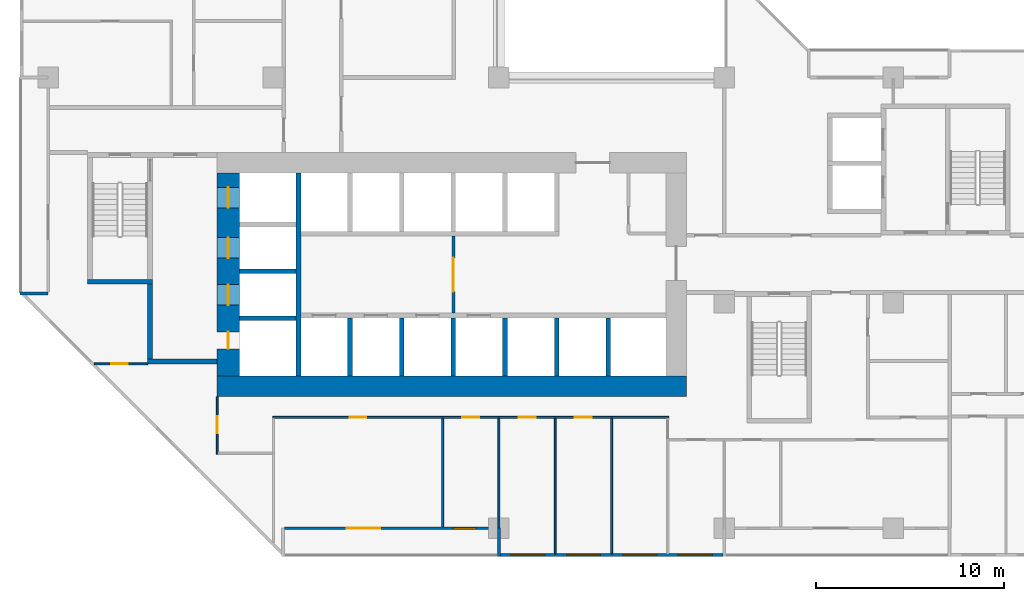
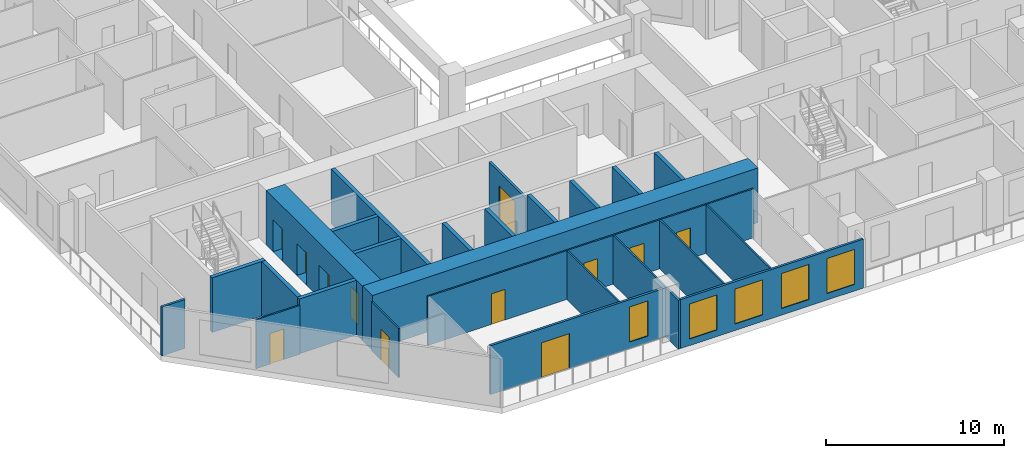
# One storey, part 4 of 16: 26 walls, 12 doors, 5 windows, 17 openings.
"""IFC4 building model written with IfcOpenShell, lengths in metres."""

from ifc_helpers import new_model, si_unit, direction, frame, frame_2d, origin, place, context, subcontext, project, spatial, rectangle, extrude, material, layer, layer_set, type_object, element, fill, save


model = new_model("IFC4")

# Units and contexts
model_context = context("Model", 3, precision=1e-05, world=origin(), true_north=direction((0.0, 1.0)))
body_context = subcontext(model_context, "Body", "Model", "MODEL_VIEW")
ifc_project = project(units=[si_unit("LENGTHUNIT", "METRE"), si_unit("AREAUNIT", "SQUARE_METRE"), si_unit("VOLUMEUNIT", "CUBIC_METRE"), si_unit("PLANEANGLEUNIT", "RADIAN"), si_unit("MASSUNIT", "GRAM", prefix="KILO")], contexts=[model_context])

# Site, building, storey
site_placement = place(None, origin())
site = spatial("IfcSite", under=ifc_project, at=site_placement, CompositionType="ELEMENT")
building_placement = place(site_placement, origin())
building = spatial("IfcBuilding", under=site, at=building_placement, Name="Chenar Terraces", CompositionType="ELEMENT")
storey_placement = place(building_placement, frame((0.0, 0.0, 75.14990234375)))
storey = spatial("IfcBuildingStorey", under=building, at=storey_placement, Name="L16", CompositionType="ELEMENT", Elevation=75.14990234375)

# Wall, opening, door
ifc_material_1 = material(Name="Gypsum board on steel studs", Category="steel")
ifc_layer_1 = layer(ifc_material_1, 0.14990234375)
ifc_layer_set_1 = layer_set([ifc_layer_1], Name="Gypsum board on steel studs")
wall_type_1 = type_object("IfcWallType", Name="Core partition 150 gypsum board", PredefinedType="PARTITIONING", material=ifc_layer_set_1)
wall_1_placement = place(storey_placement, frame((21.574951171875, 11.449951171875, 0.0), z_axis=(0.0, 0.0, 1.0), x_axis=(0.0, 1.0, 0.0)))
wall_1 = element("IfcWall", 1, at=wall_1_placement, inside=storey, type_object=wall_type_1, Name="Core partition CP1 lift lobby smoke stop", PredefinedType="PARTITIONING", context=body_context, shape_type="SweptSolid", body=[
    extrude(rectangle(XDim=4.10009765625, YDim=0.14990234375, at=frame_2d((2.050048828125, 0.0))), origin(), (0.0, 0.0, 1.0), 3.35009765625),
])
opening_1_placement = place(wall_1_placement, frame((1.14990234375, 0.0, 0.0)))
opening_1 = element("IfcOpeningElement", 2, at=opening_1_placement, cuts=wall_1, Name="Opening DL16-C12", PredefinedType="OPENING", context=body_context, shape_type="SweptSolid", body=[
    extrude(rectangle(XDim=1.800048828125, YDim=2.39990234375, at=frame_2d((0.89990234375, 1.199951171875))), frame((0.0, 0.0849609375, 0.0), z_axis=(0.0, -1.0, 0.0), x_axis=(1.0, 0.0, 0.0)), (0.0, 0.0, 1.0), 0.169921875),
])
ifc_material_2 = material(Name="Steel-framed fire-resisting door leaf", Category="steel")
door_type_1 = type_object("IfcDoorType", Name="Core entrance double fire door FD60 1800 x 2400", OperationType="DOUBLE_DOOR_SINGLE_SWING", PredefinedType="DOOR", material=ifc_material_2)
door_1_placement = place(opening_1_placement, frame((1.800048828125, 0.0, 0.0), z_axis=(0.0, 0.0, 1.0), x_axis=(-1.0, 0.0, 0.0)))
door_1 = element("IfcDoor", 3, at=door_1_placement, inside=storey, type_object=door_type_1, Name="Core door DL16-C12", OperationType="DOUBLE_DOOR_SINGLE_SWING", OverallHeight=2.39990234375, OverallWidth=1.800048828125, PredefinedType="DOOR", context=body_context, shape_type="SweptSolid", body=[
    extrude(rectangle(XDim=1.800048828125, YDim=2.39990234375, at=frame_2d((0.89990234375, 1.199951171875))), frame((0.0, 0.02490234375, 0.0), z_axis=(0.0, -1.0, 0.0), x_axis=(1.0, 0.0, 0.0)), (0.0, 0.0, 1.0), 0.050048828125),
])
fill(opening_1, door_1)

# Wall
ifc_material_3 = material(Name="Concrete C70/85", Category="concrete")
ifc_layer_2 = layer(ifc_material_3, 1.10009765625)
ifc_layer_set_2 = layer_set([ifc_layer_2], Name="Concrete C70/85")
wall_type_2 = type_object("IfcWallType", Name="Core wall 1100 Concrete C70/85", PredefinedType="SHEAR", material=ifc_layer_set_2)
wall_2_placement = place(storey_placement, frame((9.0, 7.550048828125, 0.0), z_axis=(0.0, 0.0, 1.0), x_axis=(1.0, 0.0, 0.0)))
element("IfcWall", 4, at=wall_2_placement, inside=storey, type_object=wall_type_2, Name="Core wall S L16", PredefinedType="SHEAR", context=body_context, shape_type="SweptSolid", body=[
    extrude(rectangle(XDim=25.0, YDim=1.10009765625, at=frame_2d((12.5, 0.0))), origin(), (0.0, 0.0, 1.0), 3.75),
])

# Wall, openings, doors
ifc_material_4 = material(Name="Concrete C70/85", Category="concrete")
ifc_layer_3 = layer(ifc_material_4, 1.199951171875)
ifc_layer_set_3 = layer_set([ifc_layer_3], Name="Concrete C70/85")
wall_type_3 = type_object("IfcWallType", Name="Core wall 1200 Concrete C70/85", PredefinedType="SHEAR", material=ifc_layer_set_3)
wall_3_placement = place(storey_placement, frame((9.60009765625, 8.10009765625, 0.0), z_axis=(0.0, 0.0, 1.0), x_axis=(0.0, 1.0, 0.0)))
wall_3 = element("IfcWall", 5, at=wall_3_placement, inside=storey, type_object=wall_type_3, Name="Core wall W L16", PredefinedType="SHEAR", context=body_context, shape_type="SweptSolid", body=[
    extrude(rectangle(XDim=10.7998046875, YDim=1.199951171875, at=frame_2d((5.39990234375, 0.0))), origin(), (0.0, 0.0, 1.0), 3.75),
])
opening_2_placement = place(wall_3_placement, frame((3.77490234375, 0.0, 0.0)))
opening_2 = element("IfcOpeningElement", 6, at=opening_2_placement, cuts=wall_3, Name="Opening DL16-LD5", PredefinedType="OPENING", context=body_context, shape_type="SweptSolid", body=[
    extrude(rectangle(XDim=1.10009765625, YDim=2.199951171875, at=frame_2d((0.550048828125, 1.10009765625))), frame((0.0, 0.60986328125, 0.0), z_axis=(0.0, -1.0, 0.0), x_axis=(1.0, 0.0, 0.0)), (0.0, 0.0, 1.0), 1.219970703125),
])
opening_3_placement = place(wall_3_placement, frame((6.27490234375, 0.0, 0.0)))
opening_3 = element("IfcOpeningElement", 7, at=opening_3_placement, cuts=wall_3, Name="Opening DL16-LD6", PredefinedType="OPENING", context=body_context, shape_type="SweptSolid", body=[
    extrude(rectangle(XDim=1.10009765625, YDim=2.199951171875, at=frame_2d((0.550048828125, 1.10009765625))), frame((0.0, 0.60986328125, 0.0), z_axis=(0.0, -1.0, 0.0), x_axis=(1.0, 0.0, 0.0)), (0.0, 0.0, 1.0), 1.219970703125),
])
opening_4_placement = place(wall_3_placement, frame((8.949951171875, 0.0, 0.0)))
opening_4 = element("IfcOpeningElement", 8, at=opening_4_placement, cuts=wall_3, Name="Opening DL16-LD7", PredefinedType="OPENING", context=body_context, shape_type="SweptSolid", body=[
    extrude(rectangle(XDim=1.10009765625, YDim=2.199951171875, at=frame_2d((0.550048828125, 1.10009765625))), frame((0.0, 0.60986328125, 0.0), z_axis=(0.0, -1.0, 0.0), x_axis=(1.0, 0.0, 0.0)), (0.0, 0.0, 1.0), 1.219970703125),
])
opening_5_placement = place(wall_3_placement, frame((1.449951171875, 0.0, 0.0)))
opening_5 = element("IfcOpeningElement", 9, at=opening_5_placement, cuts=wall_3, Name="Opening DL16-C4", PredefinedType="OPENING", context=body_context, shape_type="SweptSolid", body=[
    extrude(rectangle(XDim=0.89990234375, YDim=2.10009765625, at=frame_2d((0.449951171875, 1.050048828125))), frame((0.0, 0.60986328125, 0.0), z_axis=(0.0, -1.0, 0.0), x_axis=(1.0, 0.0, 0.0)), (0.0, 0.0, 1.0), 1.219970703125),
])
ifc_material_5 = material(Name="Stainless steel", Category="steel")
door_type_2 = type_object("IfcDoorType", Name="Lift landing door 1100 x 2200 sliding", OperationType="DOUBLE_DOOR_SLIDING", PredefinedType="DOOR", material=ifc_material_5)
door_2_placement = place(opening_2_placement, origin())
door_2 = element("IfcDoor", 10, at=door_2_placement, inside=storey, type_object=door_type_2, Name="Landing door S1", OperationType="DOUBLE_DOOR_SLIDING", OverallHeight=2.199951171875, OverallWidth=1.10009765625, PredefinedType="DOOR", context=body_context, shape_type="SweptSolid", body=[
    extrude(rectangle(XDim=1.10009765625, YDim=2.199951171875, at=frame_2d((0.550048828125, 1.10009765625))), frame((0.0, 0.02490234375, 0.0), z_axis=(0.0, -1.0, 0.0), x_axis=(1.0, 0.0, 0.0)), (0.0, 0.0, 1.0), 0.050048828125),
])
fill(opening_2, door_2)
door_3_placement = place(opening_3_placement, origin())
door_3 = element("IfcDoor", 11, at=door_3_placement, inside=storey, type_object=door_type_2, Name="Landing door F1", OperationType="DOUBLE_DOOR_SLIDING", OverallHeight=2.199951171875, OverallWidth=1.10009765625, PredefinedType="DOOR", context=body_context, shape_type="SweptSolid", body=[
    extrude(rectangle(XDim=1.10009765625, YDim=2.199951171875, at=frame_2d((0.550048828125, 1.10009765625))), frame((0.0, 0.02490234375, 0.0), z_axis=(0.0, -1.0, 0.0), x_axis=(1.0, 0.0, 0.0)), (0.0, 0.0, 1.0), 0.050048828125),
])
fill(opening_3, door_3)
door_4_placement = place(opening_4_placement, origin())
door_4 = element("IfcDoor", 12, at=door_4_placement, inside=storey, type_object=door_type_2, Name="Landing door F2", OperationType="DOUBLE_DOOR_SLIDING", OverallHeight=2.199951171875, OverallWidth=1.10009765625, PredefinedType="DOOR", context=body_context, shape_type="SweptSolid", body=[
    extrude(rectangle(XDim=1.10009765625, YDim=2.199951171875, at=frame_2d((0.550048828125, 1.10009765625))), frame((0.0, 0.02490234375, 0.0), z_axis=(0.0, -1.0, 0.0), x_axis=(1.0, 0.0, 0.0)), (0.0, 0.0, 1.0), 0.050048828125),
])
fill(opening_4, door_4)
ifc_material_6 = material(Name="Steel-framed fire-resisting door leaf", Category="steel")
door_type_3 = type_object("IfcDoorType", Name="Riser fire door FD60 900 x 2100", OperationType="SINGLE_SWING_LEFT", PredefinedType="DOOR", material=ifc_material_6)
door_5_placement = place(opening_5_placement, frame((0.89990234375, 0.0, 0.0), z_axis=(0.0, 0.0, 1.0), x_axis=(-1.0, 0.0, 0.0)))
door_5 = element("IfcDoor", 13, at=door_5_placement, inside=storey, type_object=door_type_3, Name="Riser door DL16-C4", OperationType="SINGLE_SWING_RIGHT", OverallHeight=2.10009765625, OverallWidth=0.89990234375, PredefinedType="DOOR", context=body_context, shape_type="SweptSolid", body=[
    extrude(rectangle(XDim=0.89990234375, YDim=2.10009765625, at=frame_2d((0.449951171875, 1.050048828125))), frame((0.0, 0.02490234375, 0.0), z_axis=(0.0, -1.0, 0.0), x_axis=(1.0, 0.0, 0.0)), (0.0, 0.0, 1.0), 0.050048828125),
])
fill(opening_5, door_5)

# Walls
ifc_material_7 = material(Name="Concrete C70/85", Category="concrete")
ifc_layer_4 = layer(ifc_material_7, 0.25)
ifc_layer_set_4 = layer_set([ifc_layer_4], Name="Concrete C70/85")
wall_type_4 = type_object("IfcWallType", Name="Core wall 250 Concrete C70/85", PredefinedType="SHEAR", material=ifc_layer_set_4)
wall_4_placement = place(storey_placement, frame((13.324951171875, 8.10009765625, 0.0), z_axis=(0.0, 0.0, 1.0), x_axis=(0.0, 1.0, 0.0)))
element("IfcWall", 14, at=wall_4_placement, inside=storey, type_object=wall_type_4, Name="Core wall WI L16", PredefinedType="SHEAR", context=body_context, shape_type="SweptSolid", body=[
    extrude(rectangle(XDim=10.7998046875, YDim=0.25, at=frame_2d((5.39990234375, 0.0))), origin(), (0.0, 0.0, 1.0), 3.75),
])
for number, where, z_axis, x_axis, name in (
    (15, (10.199951171875, 11.175048828125, 0.0), (0.0, 0.0, 1.0), (1.0, 0.0, 0.0), "Core wall HW0 L16"),
    (16, (10.199951171875, 13.675048828125, 0.0), (0.0, 0.0, 1.0), (1.0, 0.0, 0.0), "Core wall HW1 L16"),
):
    element("IfcWall", number, at=place(storey_placement, frame(where, z_axis=z_axis, x_axis=x_axis)), inside=storey, type_object=wall_type_4, Name=name, PredefinedType="SHEAR", context=body_context, shape_type="SweptSolid", body=[
        extrude(rectangle(XDim=3.0, YDim=0.25, at=frame_2d((1.5, 0.0))), origin(), (0.0, 0.0, 1.0), 3.75),
    ])
for number, where, z_axis, x_axis, name in (
    (17, (16.074951171875, 8.10009765625, 0.0), (0.0, 0.0, 1.0), (0.0, 1.0, 0.0), "Core wall SS0 L16"),
    (18, (18.824951171875, 8.10009765625, 0.0), (0.0, 0.0, 1.0), (0.0, 1.0, 0.0), "Core wall SS1 L16"),
    (19, (21.574951171875, 8.10009765625, 0.0), (0.0, 0.0, 1.0), (0.0, 1.0, 0.0), "Core wall SS2 L16"),
    (20, (24.324951171875, 8.10009765625, 0.0), (0.0, 0.0, 1.0), (0.0, 1.0, 0.0), "Core wall SS3 L16"),
    (21, (27.074951171875, 8.10009765625, 0.0), (0.0, 0.0, 1.0), (0.0, 1.0, 0.0), "Core wall SS4 L16"),
    (22, (29.824951171875, 8.10009765625, 0.0), (0.0, 0.0, 1.0), (0.0, 1.0, 0.0), "Core wall SS5 L16"),
):
    element("IfcWall", number, at=place(storey_placement, frame(where, z_axis=z_axis, x_axis=x_axis)), inside=storey, type_object=wall_type_4, Name=name, PredefinedType="SHEAR", context=body_context, shape_type="SweptSolid", body=[
        extrude(rectangle(XDim=3.099853515625, YDim=0.25, at=frame_2d((1.5498046875, 0.0))), origin(), (0.0, 0.0, 1.0), 3.75),
    ])
wall_5_placement = place(storey_placement, frame((2.10009765625, 13.125, 0.0), z_axis=(0.0, 0.0, 1.0), x_axis=(1.0, 0.0, 0.0)))
element("IfcWall", 23, at=wall_5_placement, inside=storey, type_object=wall_type_4, Name="Core wall ST1_S L16", PredefinedType="SHEAR", context=body_context, shape_type="SweptSolid", body=[
    extrude(rectangle(XDim=3.449951171875, YDim=0.25, at=frame_2d((1.72509765625, 0.0))), origin(), (0.0, 0.0, 1.0), 3.75),
])
wall_6_placement = place(storey_placement, frame((5.300048828125, 8.875, 0.0), z_axis=(0.0, 0.0, 1.0), x_axis=(1.0, 0.0, 0.0)))
element("IfcWall", 24, at=wall_6_placement, inside=storey, type_object=wall_type_4, Name="Core wall FFL_S L16", PredefinedType="SHEAR", context=body_context, shape_type="SweptSolid", body=[
    extrude(rectangle(XDim=3.699951171875, YDim=0.25, at=frame_2d((1.85009765625, 0.0))), origin(), (0.0, 0.0, 1.0), 3.75),
])
wall_7_placement = place(storey_placement, frame((5.425048828125, 9.0, 0.0), z_axis=(0.0, 0.0, 1.0), x_axis=(0.0, 1.0, 0.0)))
element("IfcWall", 25, at=wall_7_placement, inside=storey, type_object=wall_type_4, Name="Core wall FFL_W L16", PredefinedType="SHEAR", context=body_context, shape_type="SweptSolid", body=[
    extrude(rectangle(XDim=4.0, YDim=0.25, at=frame_2d((2.0, 0.0))), origin(), (0.0, 0.0, 1.0), 3.75),
])

# Wall, openings, windows
ifc_material_8 = material(Name="Aluminium framed glazing", Category="aluminium")
ifc_layer_5 = layer(ifc_material_8, 0.14990234375)
ifc_layer_set_5 = layer_set([ifc_layer_5], Name="Aluminium framed glazing")
wall_type_5 = type_object("IfcWallType", Name="Glazed flush facade wall 150", PredefinedType="SOLIDWALL", material=ifc_layer_set_5)
wall_8_placement = place(storey_placement, frame((24.074951171875, -1.425048828125, 0.0), z_axis=(0.0, 0.0, 1.0), x_axis=(1.0, 0.0, 0.0)))
wall_8 = element("IfcWall", 26, at=wall_8_placement, inside=storey, type_object=wall_type_5, Name="Glazed flush facade wall", PredefinedType="SOLIDWALL", context=body_context, shape_type="SweptSolid", body=[
    extrude(rectangle(XDim=11.85009765625, YDim=0.14990234375, at=frame_2d((5.925048828125, 0.0))), origin(), (0.0, 0.0, 1.0), 3.35009765625),
])
opening_6_placement = place(wall_8_placement, frame((0.5625, 0.0, 0.449951171875)))
opening_6 = element("IfcOpeningElement", 27, at=opening_6_placement, cuts=wall_8, Name="Opening W180x240", PredefinedType="OPENING", context=body_context, shape_type="SweptSolid", body=[
    extrude(rectangle(XDim=1.800048828125, YDim=2.39990234375, at=frame_2d((0.89990234375, 1.199951171875))), frame((0.0, 0.0849609375, 0.0), z_axis=(0.0, -1.0, 0.0), x_axis=(1.0, 0.0, 0.0)), (0.0, 0.0, 1.0), 0.169921875),
])
opening_7_placement = place(wall_8_placement, frame((3.52490234375, 0.0, 0.449951171875)))
opening_7 = element("IfcOpeningElement", 28, at=opening_7_placement, cuts=wall_8, Name="Opening W180x240", PredefinedType="OPENING", context=body_context, shape_type="SweptSolid", body=[
    extrude(rectangle(XDim=1.800048828125, YDim=2.39990234375, at=frame_2d((0.89990234375, 1.199951171875))), frame((0.0, 0.0849609375, 0.0), z_axis=(0.0, -1.0, 0.0), x_axis=(1.0, 0.0, 0.0)), (0.0, 0.0, 1.0), 0.169921875),
])
opening_8_placement = place(wall_8_placement, frame((6.52490234375, 0.0, 0.449951171875)))
opening_8 = element("IfcOpeningElement", 29, at=opening_8_placement, cuts=wall_8, Name="Opening W180x240", PredefinedType="OPENING", context=body_context, shape_type="SweptSolid", body=[
    extrude(rectangle(XDim=1.800048828125, YDim=2.39990234375, at=frame_2d((0.89990234375, 1.199951171875))), frame((0.0, 0.0849609375, 0.0), z_axis=(0.0, -1.0, 0.0), x_axis=(1.0, 0.0, 0.0)), (0.0, 0.0, 1.0), 0.169921875),
])
opening_9_placement = place(wall_8_placement, frame((9.487548828125, 0.0, 0.449951171875)))
opening_9 = element("IfcOpeningElement", 30, at=opening_9_placement, cuts=wall_8, Name="Opening W180x240", PredefinedType="OPENING", context=body_context, shape_type="SweptSolid", body=[
    extrude(rectangle(XDim=1.800048828125, YDim=2.39990234375, at=frame_2d((0.89990234375, 1.199951171875))), frame((0.0, 0.0849609375, 0.0), z_axis=(0.0, -1.0, 0.0), x_axis=(1.0, 0.0, 0.0)), (0.0, 0.0, 1.0), 0.169921875),
])
ifc_material_9 = material(Name="Low emissivity double glazing, aluminium frame", Category="aluminium")
window_type_1 = type_object("IfcWindowType", Name="Fixed light 1800 x 2400", PartitioningType="SINGLE_PANEL", PredefinedType="WINDOW", material=ifc_material_9)
window_1_placement = place(opening_6_placement, origin())
window_1 = element("IfcWindow", 31, at=window_1_placement, inside=storey, type_object=window_type_1, Name="Window", OverallHeight=2.39990234375, OverallWidth=1.800048828125, PartitioningType="SINGLE_PANEL", PredefinedType="WINDOW", context=body_context, shape_type="SweptSolid", body=[
    extrude(rectangle(XDim=1.800048828125, YDim=2.39990234375, at=frame_2d((0.89990234375, 1.199951171875))), frame((0.0, 0.030029296875, 0.0), z_axis=(0.0, -1.0, 0.0), x_axis=(1.0, 0.0, 0.0)), (0.0, 0.0, 1.0), 0.06005859375),
])
fill(opening_6, window_1)
window_2_placement = place(opening_7_placement, origin())
window_2 = element("IfcWindow", 32, at=window_2_placement, inside=storey, type_object=window_type_1, Name="Window", OverallHeight=2.39990234375, OverallWidth=1.800048828125, PartitioningType="SINGLE_PANEL", PredefinedType="WINDOW", context=body_context, shape_type="SweptSolid", body=[
    extrude(rectangle(XDim=1.800048828125, YDim=2.39990234375, at=frame_2d((0.89990234375, 1.199951171875))), frame((0.0, 0.030029296875, 0.0), z_axis=(0.0, -1.0, 0.0), x_axis=(1.0, 0.0, 0.0)), (0.0, 0.0, 1.0), 0.06005859375),
])
fill(opening_7, window_2)
window_3_placement = place(opening_8_placement, origin())
window_3 = element("IfcWindow", 33, at=window_3_placement, inside=storey, type_object=window_type_1, Name="Window", OverallHeight=2.39990234375, OverallWidth=1.800048828125, PartitioningType="SINGLE_PANEL", PredefinedType="WINDOW", context=body_context, shape_type="SweptSolid", body=[
    extrude(rectangle(XDim=1.800048828125, YDim=2.39990234375, at=frame_2d((0.89990234375, 1.199951171875))), frame((0.0, 0.030029296875, 0.0), z_axis=(0.0, -1.0, 0.0), x_axis=(1.0, 0.0, 0.0)), (0.0, 0.0, 1.0), 0.06005859375),
])
fill(opening_8, window_3)
window_4_placement = place(opening_9_placement, origin())
window_4 = element("IfcWindow", 34, at=window_4_placement, inside=storey, type_object=window_type_1, Name="Window", OverallHeight=2.39990234375, OverallWidth=1.800048828125, PartitioningType="SINGLE_PANEL", PredefinedType="WINDOW", context=body_context, shape_type="SweptSolid", body=[
    extrude(rectangle(XDim=1.800048828125, YDim=2.39990234375, at=frame_2d((0.89990234375, 1.199951171875))), frame((0.0, 0.030029296875, 0.0), z_axis=(0.0, -1.0, 0.0), x_axis=(1.0, 0.0, 0.0)), (0.0, 0.0, 1.0), 0.06005859375),
])
fill(opening_9, window_4)

# Wall, openings, window, door
ifc_material_10 = material(Name="Aluminium framed glazing", Category="aluminium")
ifc_layer_6 = layer(ifc_material_10, 0.14990234375)
ifc_layer_set_6 = layer_set([ifc_layer_6], Name="Aluminium framed glazing")
wall_type_6 = type_object("IfcWallType", Name="Glazed loggia back wall 150", PredefinedType="SOLIDWALL", material=ifc_layer_set_6)
wall_9_placement = place(storey_placement, frame((12.574951171875, 0.0, 0.0), z_axis=(0.0, 0.0, 1.0), x_axis=(1.0, 0.0, 0.0)))
wall_9 = element("IfcWall", 35, at=wall_9_placement, inside=storey, type_object=wall_type_6, Name="Glazed loggia back wall", PredefinedType="SOLIDWALL", context=body_context, shape_type="SweptSolid", body=[
    extrude(rectangle(XDim=11.35009765625, YDim=0.14990234375, at=frame_2d((5.675048828125, 0.0))), origin(), (0.0, 0.0, 1.0), 3.35009765625),
])
opening_10_placement = place(wall_9_placement, frame((3.3125, 0.0, 0.0)))
opening_10 = element("IfcOpeningElement", 36, at=opening_10_placement, cuts=wall_9, Name="Opening DL16-G5", PredefinedType="OPENING", context=body_context, shape_type="SweptSolid", body=[
    extrude(rectangle(XDim=1.800048828125, YDim=2.39990234375, at=frame_2d((0.89990234375, 1.199951171875))), frame((0.0, 0.0849609375, 0.0), z_axis=(0.0, -1.0, 0.0), x_axis=(1.0, 0.0, 0.0)), (0.0, 0.0, 1.0), 0.169921875),
])
opening_11_placement = place(wall_9_placement, frame((9.0, 0.0, 0.449951171875)))
opening_11 = element("IfcOpeningElement", 37, at=opening_11_placement, cuts=wall_9, Name="Opening W120x240", PredefinedType="OPENING", context=body_context, shape_type="SweptSolid", body=[
    extrude(rectangle(XDim=1.199951171875, YDim=2.39990234375, at=frame_2d((0.60009765625, 1.199951171875))), frame((0.0, 0.0849609375, 0.0), z_axis=(0.0, -1.0, 0.0), x_axis=(1.0, 0.0, 0.0)), (0.0, 0.0, 1.0), 0.169921875),
])
ifc_material_11 = material(Name="Low emissivity double glazing, aluminium frame", Category="aluminium")
window_type_2 = type_object("IfcWindowType", Name="Fixed light 1200 x 2400", PartitioningType="SINGLE_PANEL", PredefinedType="WINDOW", material=ifc_material_11)
window_5_placement = place(opening_11_placement, origin())
window_5 = element("IfcWindow", 38, at=window_5_placement, inside=storey, type_object=window_type_2, Name="Window", OverallHeight=2.39990234375, OverallWidth=1.199951171875, PartitioningType="SINGLE_PANEL", PredefinedType="WINDOW", context=body_context, shape_type="SweptSolid", body=[
    extrude(rectangle(XDim=1.199951171875, YDim=2.39990234375, at=frame_2d((0.60009765625, 1.199951171875))), frame((0.0, 0.030029296875, 0.0), z_axis=(0.0, -1.0, 0.0), x_axis=(1.0, 0.0, 0.0)), (0.0, 0.0, 1.0), 0.06005859375),
])
fill(opening_11, window_5)
ifc_material_12 = material(Name="Low emissivity double glazing, aluminium frame", Category="aluminium")
door_type_4 = type_object("IfcDoorType", Name="Loggia glazed double door 1800 x 2400", OperationType="DOUBLE_DOOR_SINGLE_SWING", PredefinedType="DOOR", material=ifc_material_12)
door_6_placement = place(opening_10_placement, frame((1.800048828125, 0.0, 0.0), z_axis=(0.0, 0.0, 1.0), x_axis=(-1.0, 0.0, 0.0)))
door_6 = element("IfcDoor", 39, at=door_6_placement, inside=storey, type_object=door_type_4, Name="Loggia glazed door", OperationType="DOUBLE_DOOR_SINGLE_SWING", OverallHeight=2.39990234375, OverallWidth=1.800048828125, PredefinedType="DOOR", context=body_context, shape_type="SweptSolid", body=[
    extrude(rectangle(XDim=1.800048828125, YDim=2.39990234375, at=frame_2d((0.89990234375, 1.199951171875))), frame((0.0, 0.02490234375, 0.0), z_axis=(0.0, -1.0, 0.0), x_axis=(1.0, 0.0, 0.0)), (0.0, 0.0, 1.0), 0.050048828125),
])
fill(opening_10, door_6)

# Wall, opening, door
ifc_material_13 = material(Name="Gypsum board on steel studs", Category="steel")
ifc_layer_7 = layer(ifc_material_13, 0.10009765625)
ifc_layer_set_7 = layer_set([ifc_layer_7], Name="Gypsum board on steel studs")
wall_type_7 = type_object("IfcWallType", Name="Gypsum partition 100", PredefinedType="PARTITIONING", material=ifc_layer_set_7)
wall_10_placement = place(storey_placement, frame((2.4609375, 8.75, 0.0), z_axis=(0.0, 0.0, 1.0), x_axis=(1.0, 0.0, 0.0)))
wall_10 = element("IfcWall", 40, at=wall_10_placement, inside=storey, type_object=wall_type_7, Name="Partition L16-013", PredefinedType="PARTITIONING", context=body_context, shape_type="SweptSolid", body=[
    extrude(rectangle(XDim=2.839111328125, YDim=0.10009765625, at=frame_2d((1.41943359375, 0.0))), origin(), (0.0, 0.0, 1.0), 3.35009765625),
])
opening_12_placement = place(wall_10_placement, frame((0.888916015625, 0.0, 0.0)))
opening_12 = element("IfcOpeningElement", 41, at=opening_12_placement, cuts=wall_10, Name="Opening DL16-65", PredefinedType="OPENING", context=body_context, shape_type="SweptSolid", body=[
    extrude(rectangle(XDim=0.89990234375, YDim=2.10009765625, at=frame_2d((0.449951171875, 1.050048828125))), frame((0.0, 0.06005859375, 0.0), z_axis=(0.0, -1.0, 0.0), x_axis=(1.0, 0.0, 0.0)), (0.0, 0.0, 1.0), 0.1201171875),
])
ifc_material_14 = material(Name="Veneered timber door leaf", Category="wood")
door_type_5 = type_object("IfcDoorType", Name="Door 900 x 2100", OperationType="SINGLE_SWING_LEFT", PredefinedType="DOOR", material=ifc_material_14)
door_7_placement = place(opening_12_placement, frame((0.89990234375, 0.0, 0.0), z_axis=(0.0, 0.0, 1.0), x_axis=(-1.0, 0.0, 0.0)))
door_7 = element("IfcDoor", 42, at=door_7_placement, inside=storey, type_object=door_type_5, Name="Door DL16-65", OperationType="SINGLE_SWING_RIGHT", OverallHeight=2.10009765625, OverallWidth=0.89990234375, PredefinedType="DOOR", context=body_context, shape_type="SweptSolid", body=[
    extrude(rectangle(XDim=0.89990234375, YDim=2.10009765625, at=frame_2d((0.449951171875, 1.050048828125))), frame((0.0, 0.02490234375, 0.0), z_axis=(0.0, -1.0, 0.0), x_axis=(1.0, 0.0, 0.0)), (0.0, 0.0, 1.0), 0.050048828125),
])
fill(opening_12, door_7)

wall_11_placement = place(storey_placement, frame((9.0, 3.949951171875, 0.0), z_axis=(0.0, 0.0, 1.0), x_axis=(0.0, 1.0, 0.0)))
wall_11 = element("IfcWall", 43, at=wall_11_placement, inside=storey, type_object=wall_type_7, Name="Partition L16-031", PredefinedType="PARTITIONING", context=body_context, shape_type="SweptSolid", body=[
    extrude(rectangle(XDim=3.050048828125, YDim=0.10009765625, at=frame_2d((1.52490234375, 0.0))), origin(), (0.0, 0.0, 1.0), 3.35009765625),
])
opening_13_placement = place(wall_11_placement, frame((1.10009765625, 0.0, 0.0)))
opening_13 = element("IfcOpeningElement", 44, at=opening_13_placement, cuts=wall_11, Name="Opening DL16-64", PredefinedType="OPENING", context=body_context, shape_type="SweptSolid", body=[
    extrude(rectangle(XDim=0.89990234375, YDim=2.10009765625, at=frame_2d((0.449951171875, 1.050048828125))), frame((0.0, 0.06005859375, 0.0), z_axis=(0.0, -1.0, 0.0), x_axis=(1.0, 0.0, 0.0)), (0.0, 0.0, 1.0), 0.1201171875),
])
door_8_placement = place(opening_13_placement, origin())
door_8 = element("IfcDoor", 45, at=door_8_placement, inside=storey, type_object=door_type_5, Name="Door DL16-64", OperationType="SINGLE_SWING_LEFT", OverallHeight=2.10009765625, OverallWidth=0.89990234375, PredefinedType="DOOR", context=body_context, shape_type="SweptSolid", body=[
    extrude(rectangle(XDim=0.89990234375, YDim=2.10009765625, at=frame_2d((0.449951171875, 1.050048828125))), frame((0.0, 0.02490234375, 0.0), z_axis=(0.0, -1.0, 0.0), x_axis=(1.0, 0.0, 0.0)), (0.0, 0.0, 1.0), 0.050048828125),
])
fill(opening_13, door_8)

# Wall, openings, doors
wall_12_placement = place(storey_placement, frame((11.949951171875, 5.89990234375, 0.0), z_axis=(0.0, 0.0, 1.0), x_axis=(1.0, 0.0, 0.0)))
wall_12 = element("IfcWall", 46, at=wall_12_placement, inside=storey, type_object=wall_type_7, Name="Partition L16-033", PredefinedType="PARTITIONING", context=body_context, shape_type="SweptSolid", body=[
    extrude(rectangle(XDim=21.10009765625, YDim=0.10009765625, at=frame_2d((10.550048828125, 0.0))), origin(), (0.0, 0.0, 1.0), 3.35009765625),
])
opening_14_placement = place(wall_12_placement, frame((10.10009765625, 0.0, 0.0)))
opening_14 = element("IfcOpeningElement", 47, at=opening_14_placement, cuts=wall_12, Name="Opening DL16-58", PredefinedType="OPENING", context=body_context, shape_type="SweptSolid", body=[
    extrude(rectangle(XDim=0.89990234375, YDim=2.10009765625, at=frame_2d((0.449951171875, 1.050048828125))), frame((0.0, 0.06005859375, 0.0), z_axis=(0.0, -1.0, 0.0), x_axis=(1.0, 0.0, 0.0)), (0.0, 0.0, 1.0), 0.1201171875),
])
opening_15_placement = place(wall_12_placement, frame((13.10009765625, 0.0, 0.0)))
opening_15 = element("IfcOpeningElement", 48, at=opening_15_placement, cuts=wall_12, Name="Opening DL16-59", PredefinedType="OPENING", context=body_context, shape_type="SweptSolid", body=[
    extrude(rectangle(XDim=0.89990234375, YDim=2.10009765625, at=frame_2d((0.449951171875, 1.050048828125))), frame((0.0, 0.06005859375, 0.0), z_axis=(0.0, -1.0, 0.0), x_axis=(1.0, 0.0, 0.0)), (0.0, 0.0, 1.0), 0.1201171875),
])
opening_16_placement = place(wall_12_placement, frame((16.10009765625, 0.0, 0.0)))
opening_16 = element("IfcOpeningElement", 49, at=opening_16_placement, cuts=wall_12, Name="Opening DL16-60", PredefinedType="OPENING", context=body_context, shape_type="SweptSolid", body=[
    extrude(rectangle(XDim=0.89990234375, YDim=2.10009765625, at=frame_2d((0.449951171875, 1.050048828125))), frame((0.0, 0.06005859375, 0.0), z_axis=(0.0, -1.0, 0.0), x_axis=(1.0, 0.0, 0.0)), (0.0, 0.0, 1.0), 0.1201171875),
])
opening_17_placement = place(wall_12_placement, frame((4.10009765625, 0.0, 0.0)))
opening_17 = element("IfcOpeningElement", 50, at=opening_17_placement, cuts=wall_12, Name="Opening DL16-68", PredefinedType="OPENING", context=body_context, shape_type="SweptSolid", body=[
    extrude(rectangle(XDim=0.89990234375, YDim=2.10009765625, at=frame_2d((0.449951171875, 1.050048828125))), frame((0.0, 0.06005859375, 0.0), z_axis=(0.0, -1.0, 0.0), x_axis=(1.0, 0.0, 0.0)), (0.0, 0.0, 1.0), 0.1201171875),
])
door_9_placement = place(opening_14_placement, frame((0.89990234375, 0.0, 0.0), z_axis=(0.0, 0.0, 1.0), x_axis=(-1.0, 0.0, 0.0)))
door_9 = element("IfcDoor", 51, at=door_9_placement, inside=storey, type_object=door_type_5, Name="Door DL16-58", OperationType="SINGLE_SWING_RIGHT", OverallHeight=2.10009765625, OverallWidth=0.89990234375, PredefinedType="DOOR", context=body_context, shape_type="SweptSolid", body=[
    extrude(rectangle(XDim=0.89990234375, YDim=2.10009765625, at=frame_2d((0.449951171875, 1.050048828125))), frame((0.0, 0.02490234375, 0.0), z_axis=(0.0, -1.0, 0.0), x_axis=(1.0, 0.0, 0.0)), (0.0, 0.0, 1.0), 0.050048828125),
])
fill(opening_14, door_9)
door_10_placement = place(opening_15_placement, frame((0.89990234375, 0.0, 0.0), z_axis=(0.0, 0.0, 1.0), x_axis=(-1.0, 0.0, 0.0)))
door_10 = element("IfcDoor", 52, at=door_10_placement, inside=storey, type_object=door_type_5, Name="Door DL16-59", OperationType="SINGLE_SWING_RIGHT", OverallHeight=2.10009765625, OverallWidth=0.89990234375, PredefinedType="DOOR", context=body_context, shape_type="SweptSolid", body=[
    extrude(rectangle(XDim=0.89990234375, YDim=2.10009765625, at=frame_2d((0.449951171875, 1.050048828125))), frame((0.0, 0.02490234375, 0.0), z_axis=(0.0, -1.0, 0.0), x_axis=(1.0, 0.0, 0.0)), (0.0, 0.0, 1.0), 0.050048828125),
])
fill(opening_15, door_10)
door_11_placement = place(opening_16_placement, frame((0.89990234375, 0.0, 0.0), z_axis=(0.0, 0.0, 1.0), x_axis=(-1.0, 0.0, 0.0)))
door_11 = element("IfcDoor", 53, at=door_11_placement, inside=storey, type_object=door_type_5, Name="Door DL16-60", OperationType="SINGLE_SWING_RIGHT", OverallHeight=2.10009765625, OverallWidth=0.89990234375, PredefinedType="DOOR", context=body_context, shape_type="SweptSolid", body=[
    extrude(rectangle(XDim=0.89990234375, YDim=2.10009765625, at=frame_2d((0.449951171875, 1.050048828125))), frame((0.0, 0.02490234375, 0.0), z_axis=(0.0, -1.0, 0.0), x_axis=(1.0, 0.0, 0.0)), (0.0, 0.0, 1.0), 0.050048828125),
])
fill(opening_16, door_11)
door_12_placement = place(opening_17_placement, frame((0.89990234375, 0.0, 0.0), z_axis=(0.0, 0.0, 1.0), x_axis=(-1.0, 0.0, 0.0)))
door_12 = element("IfcDoor", 54, at=door_12_placement, inside=storey, type_object=door_type_5, Name="Door DL16-68", OperationType="SINGLE_SWING_RIGHT", OverallHeight=2.10009765625, OverallWidth=0.89990234375, PredefinedType="DOOR", context=body_context, shape_type="SweptSolid", body=[
    extrude(rectangle(XDim=0.89990234375, YDim=2.10009765625, at=frame_2d((0.449951171875, 1.050048828125))), frame((0.0, 0.02490234375, 0.0), z_axis=(0.0, -1.0, 0.0), x_axis=(1.0, 0.0, 0.0)), (0.0, 0.0, 1.0), 0.050048828125),
])
fill(opening_17, door_12)

# Walls
wall_13_placement = place(storey_placement, frame((21.0, 0.073974609375, 0.0), z_axis=(0.0, 0.0, 1.0), x_axis=(0.0, 1.0, 0.0)))
element("IfcWall", 55, at=wall_13_placement, inside=storey, type_object=wall_type_7, Name="Partition L16-056", PredefinedType="PARTITIONING", context=body_context, shape_type="SweptSolid", body=[
    extrude(rectangle(XDim=5.776123046875, YDim=0.10009765625, at=frame_2d((2.88818359375, 0.0))), origin(), (0.0, 0.0, 1.0), 3.35009765625),
])
wall_14_placement = place(storey_placement, frame((24.0, 0.0, 0.0), z_axis=(0.0, 0.0, 1.0), x_axis=(0.0, 1.0, 0.0)))
element("IfcWall", 56, at=wall_14_placement, inside=storey, type_object=wall_type_7, Name="Partition L16-058", PredefinedType="PARTITIONING", context=body_context, shape_type="SweptSolid", body=[
    extrude(rectangle(XDim=5.85009765625, YDim=0.10009765625, at=frame_2d((2.925048828125, 0.0))), origin(), (0.0, 0.0, 1.0), 3.35009765625),
])
for number, where, z_axis, x_axis, name in (
    (57, (27.0, -1.35107421875, 0.0), (0.0, 0.0, 1.0), (0.0, 1.0, 0.0), "Partition L16-059"),
    (58, (30.0, -1.35107421875, 0.0), (0.0, 0.0, 1.0), (0.0, 1.0, 0.0), "Partition L16-060"),
):
    element("IfcWall", number, at=place(storey_placement, frame(where, z_axis=z_axis, x_axis=x_axis)), inside=storey, type_object=wall_type_7, Name=name, PredefinedType="PARTITIONING", context=body_context, shape_type="SweptSolid", body=[
        extrude(rectangle(XDim=7.201171875, YDim=0.10009765625, at=frame_2d((3.6005859375, 0.0))), origin(), (0.0, 0.0, 1.0), 3.35009765625),
    ])
ifc_material_15 = material(Name="Terracotta cladding on insulated backing", Category="masonry")
ifc_layer_8 = layer(ifc_material_15, 0.14990234375)
ifc_layer_set_8 = layer_set([ifc_layer_8], Name="Terracotta cladding on insulated backing")
wall_type_8 = type_object("IfcWallType", Name="Loggia return wall 150", PredefinedType="SOLIDWALL", material=ifc_layer_set_8)
for number, where, z_axis, x_axis, name in (
    (59, (-1.5, 12.5, 0.0), (0.0, 0.0, 1.0), (1.0, 0.0, 0.0), "Loggia return wall"),
    (60, (24.0, -1.5, 0.0), (0.0, 0.0, 1.0), (0.0, 1.0, 0.0), "Loggia return wall"),
):
    element("IfcWall", number, at=place(storey_placement, frame(where, z_axis=z_axis, x_axis=x_axis)), inside=storey, type_object=wall_type_8, Name=name, PredefinedType="SOLIDWALL", context=body_context, shape_type="SweptSolid", body=[
        extrude(rectangle(XDim=1.5, YDim=0.14990234375, at=frame_2d((0.75, 0.0))), origin(), (0.0, 0.0, 1.0), 3.35009765625),
    ])

save(model, "model.ifc")
